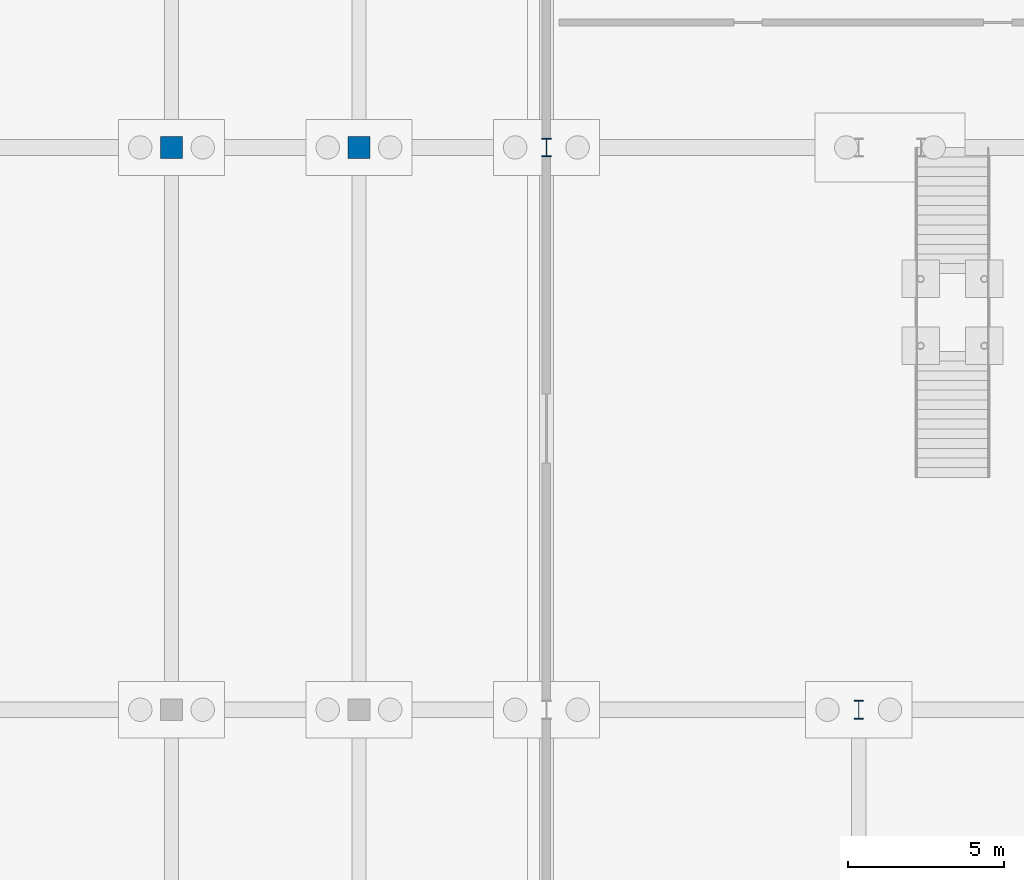
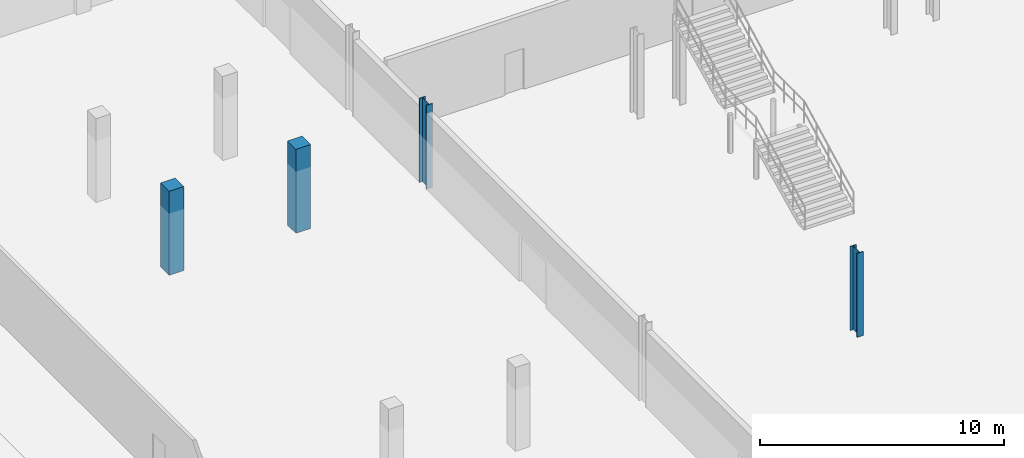
# One storey, part 20 of 77: 4 columns.
"""IFC4 building model written with IfcOpenShell, lengths in metres."""

from ifc_helpers import new_model, si_unit, direction, frame, origin, origin_2d, place, context, subcontext, project, spatial, rectangle, i_section, extrude, material, material_profile, profile_set, type_object, element, save


model = new_model("IFC4")

# Units and contexts
model_context = context("Model", 3, precision=1e-05, world=origin(), true_north=direction((0.0, 1.0)))
body_context = subcontext(model_context, "Body", "Model", "MODEL_VIEW")
ifc_project = project(units=[si_unit("LENGTHUNIT", "METRE"), si_unit("AREAUNIT", "SQUARE_METRE"), si_unit("VOLUMEUNIT", "CUBIC_METRE"), si_unit("PLANEANGLEUNIT", "RADIAN"), si_unit("MASSUNIT", "GRAM", prefix="KILO")], contexts=[model_context])

# Site, building, storey
site_placement = place(None, origin())
site = spatial("IfcSite", under=ifc_project, at=site_placement, CompositionType="ELEMENT")
building_placement = place(site_placement, origin())
building = spatial("IfcBuilding", under=site, at=building_placement, Name="Zilviju Railside Exhibition Hall", CompositionType="ELEMENT")
storey_placement = place(building_placement, origin())
storey = spatial("IfcBuildingStorey", under=building, at=storey_placement, Name="L01", CompositionType="ELEMENT", Elevation=0.0)

# Columns
ifc_material_1 = material(Name="Concrete C35/45", Category="concrete")
ifc_material_profile_1 = material_profile(ifc_material_1, rectangle(XDim=0.699951171875, YDim=0.699951171875, at=origin_2d()), Name="RC COL 700x700")
ifc_profile_set_1 = profile_set([ifc_material_profile_1], Name="Concrete C35/45")
column_type_1 = type_object("IfcColumnType", Name="COL-RC-700", PredefinedType="COLUMN", material=ifc_profile_set_1)
for number, where, z_axis, x_axis, name in (
    (1, (36.0, 120.0, 0.0), (0.0, 0.0, 1.0), (1.0, 0.0, 0.0), "Structural Column L01 (36.0, 120.0)"),
    (2, (42.0, 120.0, 0.0), (0.0, 0.0, 1.0), (1.0, 0.0, 0.0), "Structural Column L01 (42.0, 120.0)"),
):
    element("IfcColumn", number, at=place(storey_placement, frame(where, z_axis=z_axis, x_axis=x_axis)), inside=storey, type_object=column_type_1, Name=name, PredefinedType="COLUMN", context=body_context, shape_type="SweptSolid", body=[
        extrude(rectangle(XDim=0.699951171875, YDim=0.699951171875, at=origin_2d()), origin(), (0.0, 0.0, 1.0), 4.199951171875),
    ])
ifc_material_2 = material(Name="Steel S355J2", Category="steel")
ifc_material_profile_2 = material_profile(ifc_material_2, i_section(OverallWidth=0.300048828125, OverallDepth=0.60009765625, WebThickness=0.015380859375, FlangeThickness=0.030029296875, at=origin_2d()), Name="HEB 600")
ifc_profile_set_2 = profile_set([ifc_material_profile_2], Name="Steel S355J2")
column_type_2 = type_object("IfcColumnType", Name="COL-ST-HEB600", PredefinedType="COLUMN", material=ifc_profile_set_2)
for number, where, z_axis, x_axis, name in (
    (3, (58.0, 102.0, 0.0), (0.0, 0.0, 1.0), (1.0, 0.0, 0.0), "Structural Column L01 (58.0, 102.0)"),
    (4, (48.0, 120.0, 0.0), (0.0, 0.0, 1.0), (1.0, 0.0, 0.0), "Structural Column L01 (48.0, 120.0)"),
):
    element("IfcColumn", number, at=place(storey_placement, frame(where, z_axis=z_axis, x_axis=x_axis)), inside=storey, type_object=column_type_2, Name=name, PredefinedType="COLUMN", context=body_context, shape_type="SweptSolid", body=[
        extrude(i_section(OverallWidth=0.300048828125, OverallDepth=0.60009765625, WebThickness=0.015380859375, FlangeThickness=0.030029296875, at=origin_2d()), origin(), (0.0, 0.0, 1.0), 4.199951171875),
    ])

save(model, "model.ifc")
